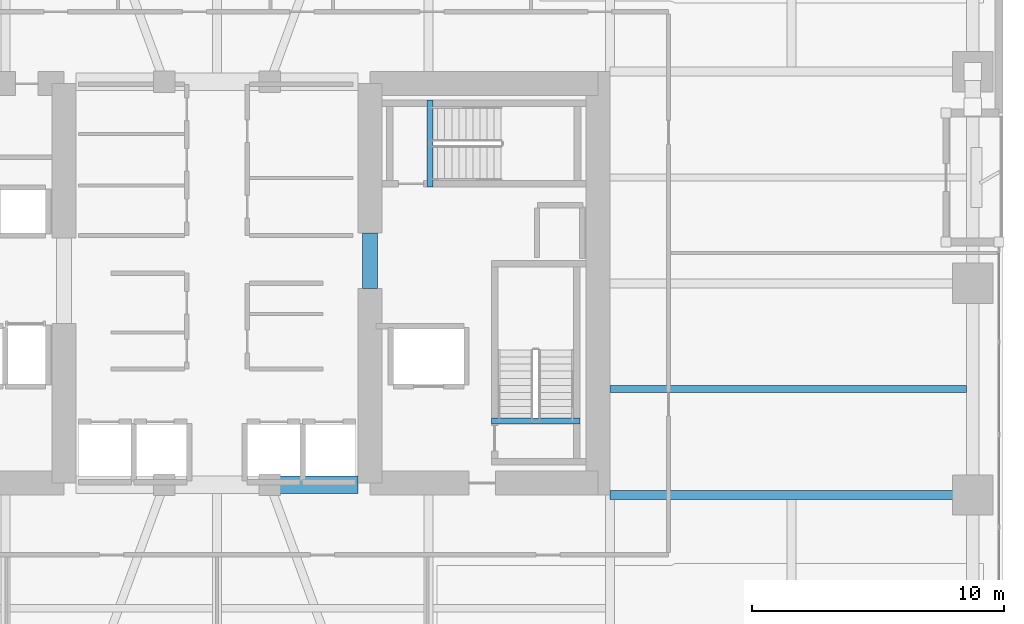
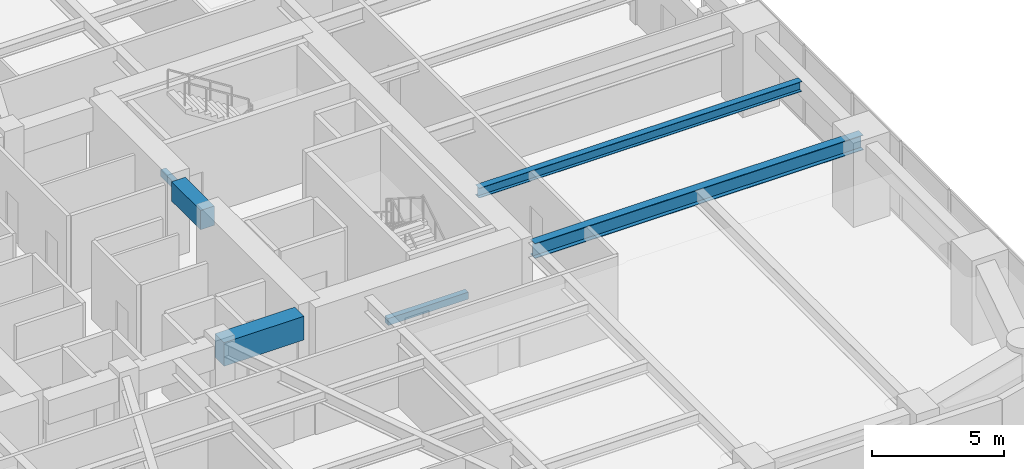
# One storey, part 7 of 28: 6 beams.
"""IFC4 building model written with IfcOpenShell, lengths in metres."""

from ifc_helpers import new_model, si_unit, direction, frame, origin, origin_2d, place, context, subcontext, project, spatial, rectangle, i_section, extrude, material, material_profile, profile_set, type_object, element, save


model = new_model("IFC4")

# Units and contexts
model_context = context("Model", 3, precision=1e-05, world=origin(), true_north=direction((0.0, 1.0)))
body_context = subcontext(model_context, "Body", "Model", "MODEL_VIEW")
ifc_project = project(units=[si_unit("LENGTHUNIT", "METRE"), si_unit("AREAUNIT", "SQUARE_METRE"), si_unit("VOLUMEUNIT", "CUBIC_METRE"), si_unit("PLANEANGLEUNIT", "RADIAN"), si_unit("MASSUNIT", "GRAM", prefix="KILO")], contexts=[model_context])

# Site, building, storey
site_placement = place(None, origin())
site = spatial("IfcSite", under=ifc_project, at=site_placement, CompositionType="ELEMENT")
building_placement = place(site_placement, origin())
building = spatial("IfcBuilding", under=site, at=building_placement, Name="Kiyonajd Concourse Tower", CompositionType="ELEMENT")
storey_placement = place(building_placement, frame((0.0, 0.0, 37.199951171875)))
storey = spatial("IfcBuildingStorey", under=building, at=storey_placement, Name="L10", CompositionType="ELEMENT", Elevation=37.199951171875)

# Beams
ifc_material_1 = material(Name="Concrete C70/85", Category="concrete")
ifc_material_profile_1 = material_profile(ifc_material_1, rectangle(XDim=0.699951171875, YDim=1.10009765625, at=origin_2d()), Name="RCBM-700x1100")
ifc_profile_set_1 = profile_set([ifc_material_profile_1], Name="Concrete C70/85")
beam_type_1 = type_object("IfcBeamType", Name="BM-COUP-1100", PredefinedType="LINTEL", material=ifc_profile_set_1)
beam_1_placement = place(storey_placement, frame((50.10009765625, 28.0, 3.090087890625), z_axis=(1.0, 0.0, 0.0), x_axis=(0.0, 1.0, 0.0)))
element("IfcBeam", 1, at=beam_1_placement, inside=storey, type_object=beam_type_1, Name="L10 Core Coupling Beam S3", PredefinedType="LINTEL", context=body_context, shape_type="SweptSolid", body=[
    extrude(rectangle(XDim=0.699951171875, YDim=1.10009765625, at=origin_2d()), origin(), (0.0, 0.0, 1.0), 3.5),
])
ifc_material_2 = material(Name="Concrete C60/75", Category="concrete")
ifc_material_profile_2 = material_profile(ifc_material_2, rectangle(XDim=0.60009765625, YDim=0.89990234375, at=origin_2d()), Name="RCBM-600x900")
ifc_profile_set_2 = profile_set([ifc_material_profile_2], Name="Concrete C60/75")
beam_type_2 = type_object("IfcBeamType", Name="BM-COUP-900", PredefinedType="LINTEL", material=ifc_profile_set_2)
beam_2_placement = place(storey_placement, frame((54.074951171875, 35.800048828125, 3.090087890625), z_axis=(0.0, 1.0, 0.0), x_axis=(-1.0, 0.0, 0.0)))
element("IfcBeam", 2, at=beam_2_placement, inside=storey, type_object=beam_type_2, Name="L10 East Core Throat Coupling Lintel", PredefinedType="LINTEL", context=body_context, shape_type="SweptSolid", body=[
    extrude(rectangle(XDim=0.60009765625, YDim=0.89990234375, at=origin_2d()), origin(), (0.0, 0.0, 1.0), 2.199951171875),
])
ifc_material_3 = material(Name="Steel ASTM A992 Grade 50", Category="steel")
ifc_material_profile_3 = material_profile(ifc_material_3, i_section(OverallWidth=0.280029296875, OverallDepth=0.462890625, WebThickness=0.0107421875, FlangeThickness=0.017333984375, at=origin_2d()), Name="W460X113")
ifc_profile_set_3 = profile_set([ifc_material_profile_3], Name="Steel ASTM A992 Grade 50")
beam_type_3 = type_object("IfcBeamType", Name="BM-JST-460A", PredefinedType="JOIST", material=ifc_profile_set_3)
beam_3_placement = place(storey_placement, frame((63.60009765625, 31.800048828125, 3.408447265625), z_axis=(1.0, 0.0, 0.0), x_axis=(0.0, 1.0, 0.0)))
element("IfcBeam", 3, at=beam_3_placement, inside=storey, type_object=beam_type_3, Name="L10 East Secondary Floor Joist", PredefinedType="JOIST", context=body_context, shape_type="SweptSolid", body=[
    extrude(i_section(OverallWidth=0.280029296875, OverallDepth=0.462890625, WebThickness=0.0107421875, FlangeThickness=0.017333984375, at=origin_2d()), origin(), (0.0, 0.0, 1.0), 14.14990234375),
])
ifc_material_4 = material(Name="Concrete C50/60", Category="concrete")
ifc_material_profile_4 = material_profile(ifc_material_4, rectangle(XDim=0.239990234375, YDim=0.320068359375, at=origin_2d()), Name="RCBM-240x320")
ifc_profile_set_4 = profile_set([ifc_material_profile_4], Name="Concrete C50/60")
beam_type_4 = type_object("IfcBeamType", Name="BM-LNT-250", PredefinedType="LINTEL", material=ifc_profile_set_4)
beam_4_placement = place(storey_placement, frame((58.889892578125, 30.530029296875, -0.159912109375), z_axis=(1.0, 0.0, 0.0), x_axis=(0.0, 1.0, 0.0)))
element("IfcBeam", 4, at=beam_4_placement, inside=storey, type_object=beam_type_4, Name="L10 Stair ST2 Threshold Support Beam", PredefinedType="LINTEL", context=body_context, shape_type="SweptSolid", body=[
    extrude(rectangle(XDim=0.239990234375, YDim=0.320068359375, at=origin_2d()), origin(), (0.0, 0.0, 1.0), 3.52001953125),
])
beam_5_placement = place(storey_placement, frame((56.4599609375, 39.820068359375, -0.159912109375), z_axis=(0.0, 1.0, 0.0), x_axis=(-1.0, 0.0, 0.0)))
element("IfcBeam", 5, at=beam_5_placement, inside=storey, type_object=beam_type_4, Name="L10 Stair ST3 Threshold Support Beam", PredefinedType="LINTEL", context=body_context, shape_type="SweptSolid", body=[
    extrude(rectangle(XDim=0.239990234375, YDim=0.320068359375, at=origin_2d()), origin(), (0.0, 0.0, 1.0), 3.4599609375),
])
ifc_material_profile_5 = material_profile(ifc_material_3, i_section(OverallWidth=0.35498046875, OverallDepth=0.695068359375, WebThickness=0.015380859375, FlangeThickness=0.02490234375, at=origin_2d()), Name="W690X217")
ifc_profile_set_5 = profile_set([ifc_material_profile_5], Name="Steel ASTM A992 Grade 50")
beam_type_5 = type_object("IfcBeamType", Name="BM-TWR-690", PredefinedType="BEAM", material=ifc_profile_set_5)
beam_6_placement = place(storey_placement, frame((63.60009765625, 27.60009765625, 3.29248046875), z_axis=(1.0, 0.0, 0.0), x_axis=(0.0, 1.0, 0.0)))
element("IfcBeam", 6, at=beam_6_placement, inside=storey, type_object=beam_type_5, Name="L10 East Lease Girder", PredefinedType="BEAM", context=body_context, shape_type="SweptSolid", body=[
    extrude(i_section(OverallWidth=0.35498046875, OverallDepth=0.695068359375, WebThickness=0.015380859375, FlangeThickness=0.02490234375, at=origin_2d()), origin(), (0.0, 0.0, 1.0), 14.39990234375),
])

save(model, "model.ifc")
